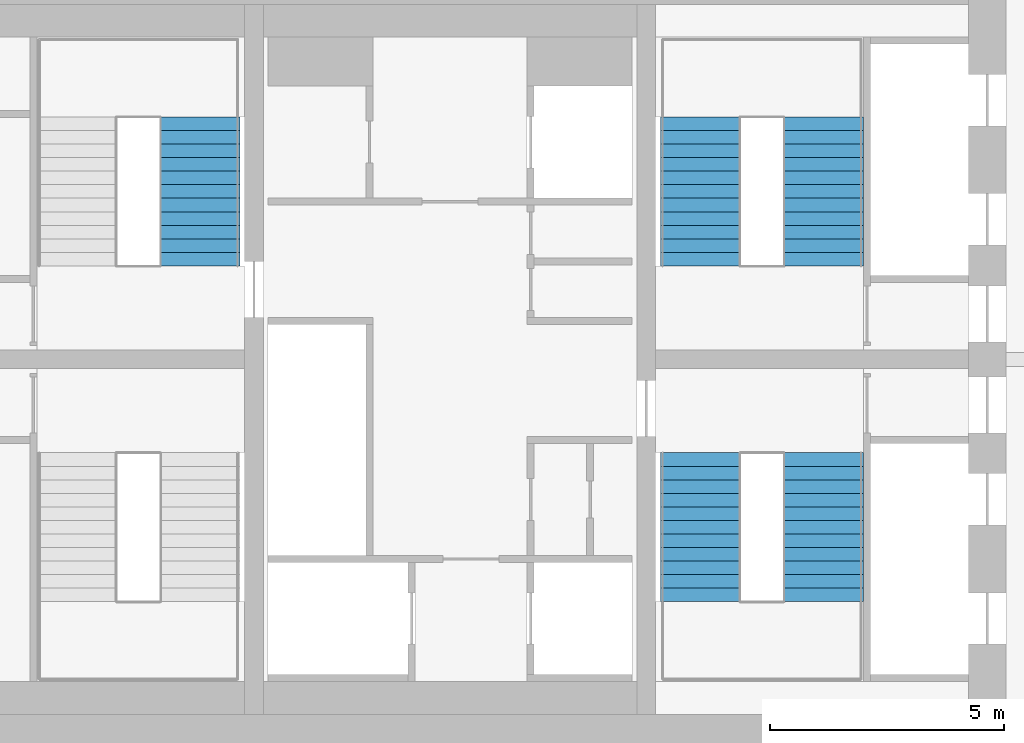
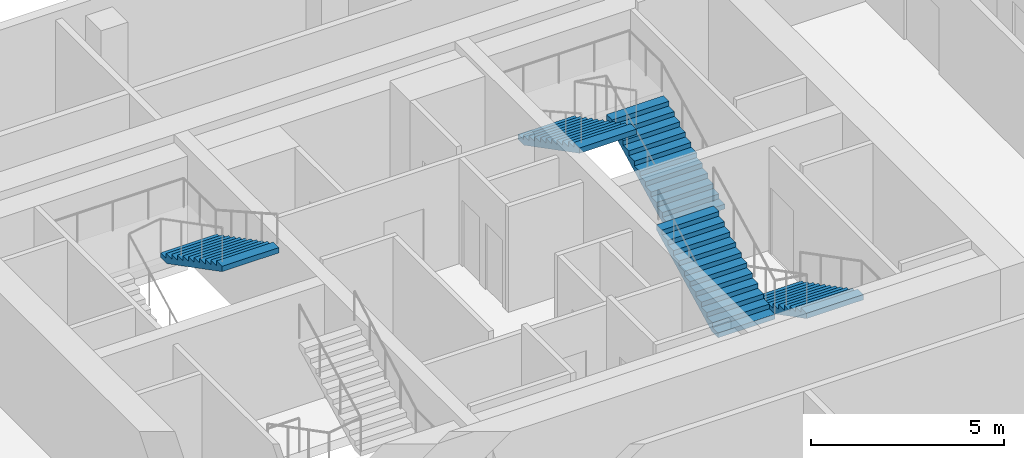
# One storey, part 30 of 31: 5 stair flights, 3 elements without a shape of their own.
"""IFC4 building model written with IfcOpenShell, lengths in metres."""

from ifc_helpers import new_model, si_unit, direction, frame, origin, place, context, subcontext, project, spatial, polyline, outline, extrude, material, type_object, element, aggregate, save


model = new_model("IFC4")

# Units and contexts
model_context = context("Model", 3, precision=1e-05, world=origin(), true_north=direction((0.0, 1.0)))
body_context = subcontext(model_context, "Body", "Model", "MODEL_VIEW")
ifc_project = project(units=[si_unit("LENGTHUNIT", "METRE"), si_unit("AREAUNIT", "SQUARE_METRE"), si_unit("VOLUMEUNIT", "CUBIC_METRE"), si_unit("PLANEANGLEUNIT", "RADIAN"), si_unit("MASSUNIT", "GRAM", prefix="KILO")], contexts=[model_context])

# Site, building, storey
site_placement = place(None, origin())
site = spatial("IfcSite", under=ifc_project, at=site_placement, CompositionType="ELEMENT")
building_placement = place(site_placement, origin())
building = spatial("IfcBuilding", under=site, at=building_placement, Name="Marenta Gate Hotel Tower", CompositionType="ELEMENT")
storey_placement = place(building_placement, frame((0.0, 0.0, 205.699951171875)))
storey = spatial("IfcBuildingStorey", under=building, at=storey_placement, Name="L47", CompositionType="ELEMENT", Elevation=205.699951171875)

# Stair, stair flight
ifc_material_1 = material(Name="Concrete C40", Category="concrete")
stair_type = type_object("IfcStairType", Name="Core exit stair 1700 wide", PredefinedType="HALF_TURN_STAIR", material=ifc_material_1)
stair_1_placement = place(storey_placement, origin())
stair_1 = element("IfcStair", 1, at=stair_1_placement, inside=storey, type_object=stair_type, Name="Exit stair 2", PredefinedType="HALF_TURN_STAIR")
ifc_material_2 = material(Name="Concrete C40", Category="concrete")
stair_flight_type = type_object("IfcStairFlightType", Name="Core stair flight 1700 riser 150.0 going 290", PredefinedType="STRAIGHT", material=ifc_material_2)
stair_flight_1_placement = place(storey_placement, frame((-5.35009765625, 13.590087890625, 1.800048828125), z_axis=(0.0, 0.0, 1.0), x_axis=(0.0, -1.0, 0.0)))
stair_flight_1 = element("IfcStairFlight", 2, at=stair_flight_1_placement, type_object=stair_flight_type, Name="ST2 flight 2", NumberOfRisers=12, NumberOfTreads=11, PredefinedType="STRAIGHT", RiserHeight=0.15, TreadLength=0.29, context=body_context, shape_type="SweptSolid", body=[
    extrude(outline(polyline([(0.0, 0.0), (0.0, 0.14990234375), (0.2900390625, 0.14990234375), (0.2900390625, 0.300048828125), (0.580078125, 0.300048828125), (0.580078125, 0.449951171875), (0.8701171875, 0.449951171875), (0.8701171875, 0.60009765625), (1.159912109375, 0.60009765625), (1.159912109375, 0.75), (1.449951171875, 0.75), (1.449951171875, 0.89990234375), (1.739990234375, 0.89990234375), (1.739990234375, 1.050048828125), (2.030029296875, 1.050048828125), (2.030029296875, 1.199951171875), (2.320068359375, 1.199951171875), (2.320068359375, 1.35009765625), (2.610107421875, 1.35009765625), (2.610107421875, 1.5), (2.89990234375, 1.5), (2.89990234375, 1.64990234375), (3.18994140625, 1.64990234375), (3.18994140625, 1.800048828125), (3.18994140625, 1.481201171875), (0.326171875, 0.0), (0.0, 0.0)])), frame((0.0, 0.85009765625, 0.0), z_axis=(0.0, -1.0, 0.0), x_axis=(1.0, 0.0, 0.0)), (0.0, 0.0, 1.0), 1.699951171875),
])
aggregate(stair_1, [stair_flight_1])

# Stair, stair flights
stair_2_placement = place(storey_placement, origin())
stair_2 = element("IfcStair", 3, at=stair_2_placement, inside=storey, type_object=stair_type, Name="Exit stair 3", PredefinedType="HALF_TURN_STAIR")
stair_flight_2_placement = place(storey_placement, frame((8.0, 6.39990234375, 0.0), z_axis=(0.0, 0.0, 1.0), x_axis=(0.0, -1.0, 0.0)))
stair_flight_2 = element("IfcStairFlight", 4, at=stair_flight_2_placement, type_object=stair_flight_type, Name="ST3 flight 1", NumberOfRisers=12, NumberOfTreads=11, PredefinedType="STRAIGHT", RiserHeight=0.15, TreadLength=0.29, context=body_context, shape_type="SweptSolid", body=[
    extrude(outline(polyline([(0.0, 0.0), (0.0, 0.14990234375), (0.2900390625, 0.14990234375), (0.2900390625, 0.300048828125), (0.580078125, 0.300048828125), (0.580078125, 0.449951171875), (0.8701171875, 0.449951171875), (0.8701171875, 0.60009765625), (1.159912109375, 0.60009765625), (1.159912109375, 0.75), (1.449951171875, 0.75), (1.449951171875, 0.89990234375), (1.739990234375, 0.89990234375), (1.739990234375, 1.050048828125), (2.030029296875, 1.050048828125), (2.030029296875, 1.199951171875), (2.320068359375, 1.199951171875), (2.320068359375, 1.35009765625), (2.610107421875, 1.35009765625), (2.610107421875, 1.5), (2.89990234375, 1.5), (2.89990234375, 1.64990234375), (3.18994140625, 1.64990234375), (3.18994140625, 1.800048828125), (3.18994140625, 1.481201171875), (0.326171875, 0.0), (0.0, 0.0)])), frame((0.0, 0.85009765625, 0.0), z_axis=(0.0, -1.0, 0.0), x_axis=(1.0, 0.0, 0.0)), (0.0, 0.0, 1.0), 1.699951171875),
])
stair_flight_3_placement = place(storey_placement, frame((5.35009765625, 3.2099609375, 1.800048828125), z_axis=(0.0, 0.0, 1.0), x_axis=(0.0, 1.0, 0.0)))
stair_flight_3 = element("IfcStairFlight", 5, at=stair_flight_3_placement, type_object=stair_flight_type, Name="ST3 flight 2", NumberOfRisers=12, NumberOfTreads=11, PredefinedType="STRAIGHT", RiserHeight=0.15, TreadLength=0.29, context=body_context, shape_type="SweptSolid", body=[
    extrude(outline(polyline([(0.0, 0.0), (0.0, 0.14990234375), (0.2900390625, 0.14990234375), (0.2900390625, 0.300048828125), (0.580078125, 0.300048828125), (0.580078125, 0.449951171875), (0.8701171875, 0.449951171875), (0.8701171875, 0.60009765625), (1.159912109375, 0.60009765625), (1.159912109375, 0.75), (1.449951171875, 0.75), (1.449951171875, 0.89990234375), (1.739990234375, 0.89990234375), (1.739990234375, 1.050048828125), (2.030029296875, 1.050048828125), (2.030029296875, 1.199951171875), (2.320068359375, 1.199951171875), (2.320068359375, 1.35009765625), (2.610107421875, 1.35009765625), (2.610107421875, 1.5), (2.89990234375, 1.5), (2.89990234375, 1.64990234375), (3.18994140625, 1.64990234375), (3.18994140625, 1.800048828125), (3.18994140625, 1.481201171875), (0.326171875, 0.0), (0.0, 0.0)])), frame((0.0, 0.85009765625, 0.0), z_axis=(0.0, -1.0, 0.0), x_axis=(1.0, 0.0, 0.0)), (0.0, 0.0, 1.0), 1.699951171875),
])
aggregate(stair_2, [stair_flight_2, stair_flight_3])

stair_3_placement = place(storey_placement, origin())
stair_3 = element("IfcStair", 6, at=stair_3_placement, inside=storey, type_object=stair_type, Name="Exit stair 4", PredefinedType="HALF_TURN_STAIR")
stair_flight_4_placement = place(storey_placement, frame((8.0, 10.39990234375, 0.0), z_axis=(0.0, 0.0, 1.0), x_axis=(0.0, 1.0, 0.0)))
stair_flight_4 = element("IfcStairFlight", 7, at=stair_flight_4_placement, type_object=stair_flight_type, Name="ST4 flight 1", NumberOfRisers=12, NumberOfTreads=11, PredefinedType="STRAIGHT", RiserHeight=0.15, TreadLength=0.29, context=body_context, shape_type="SweptSolid", body=[
    extrude(outline(polyline([(0.0, 0.0), (0.0, 0.14990234375), (0.2900390625, 0.14990234375), (0.2900390625, 0.300048828125), (0.580078125, 0.300048828125), (0.580078125, 0.449951171875), (0.8701171875, 0.449951171875), (0.8701171875, 0.60009765625), (1.159912109375, 0.60009765625), (1.159912109375, 0.75), (1.449951171875, 0.75), (1.449951171875, 0.89990234375), (1.739990234375, 0.89990234375), (1.739990234375, 1.050048828125), (2.030029296875, 1.050048828125), (2.030029296875, 1.199951171875), (2.320068359375, 1.199951171875), (2.320068359375, 1.35009765625), (2.610107421875, 1.35009765625), (2.610107421875, 1.5), (2.89990234375, 1.5), (2.89990234375, 1.64990234375), (3.18994140625, 1.64990234375), (3.18994140625, 1.800048828125), (3.18994140625, 1.481201171875), (0.326171875, 0.0), (0.0, 0.0)])), frame((0.0, 0.85009765625, 0.0), z_axis=(0.0, -1.0, 0.0), x_axis=(1.0, 0.0, 0.0)), (0.0, 0.0, 1.0), 1.699951171875),
])
stair_flight_5_placement = place(storey_placement, frame((5.35009765625, 13.590087890625, 1.800048828125), z_axis=(0.0, 0.0, 1.0), x_axis=(0.0, -1.0, 0.0)))
stair_flight_5 = element("IfcStairFlight", 8, at=stair_flight_5_placement, type_object=stair_flight_type, Name="ST4 flight 2", NumberOfRisers=12, NumberOfTreads=11, PredefinedType="STRAIGHT", RiserHeight=0.15, TreadLength=0.29, context=body_context, shape_type="SweptSolid", body=[
    extrude(outline(polyline([(0.0, 0.0), (0.0, 0.14990234375), (0.2900390625, 0.14990234375), (0.2900390625, 0.300048828125), (0.580078125, 0.300048828125), (0.580078125, 0.449951171875), (0.8701171875, 0.449951171875), (0.8701171875, 0.60009765625), (1.159912109375, 0.60009765625), (1.159912109375, 0.75), (1.449951171875, 0.75), (1.449951171875, 0.89990234375), (1.739990234375, 0.89990234375), (1.739990234375, 1.050048828125), (2.030029296875, 1.050048828125), (2.030029296875, 1.199951171875), (2.320068359375, 1.199951171875), (2.320068359375, 1.35009765625), (2.610107421875, 1.35009765625), (2.610107421875, 1.5), (2.89990234375, 1.5), (2.89990234375, 1.64990234375), (3.18994140625, 1.64990234375), (3.18994140625, 1.800048828125), (3.18994140625, 1.481201171875), (0.326171875, 0.0), (0.0, 0.0)])), frame((0.0, 0.85009765625, 0.0), z_axis=(0.0, -1.0, 0.0), x_axis=(1.0, 0.0, 0.0)), (0.0, 0.0, 1.0), 1.699951171875),
])
aggregate(stair_3, [stair_flight_4, stair_flight_5])

save(model, "model.ifc")
